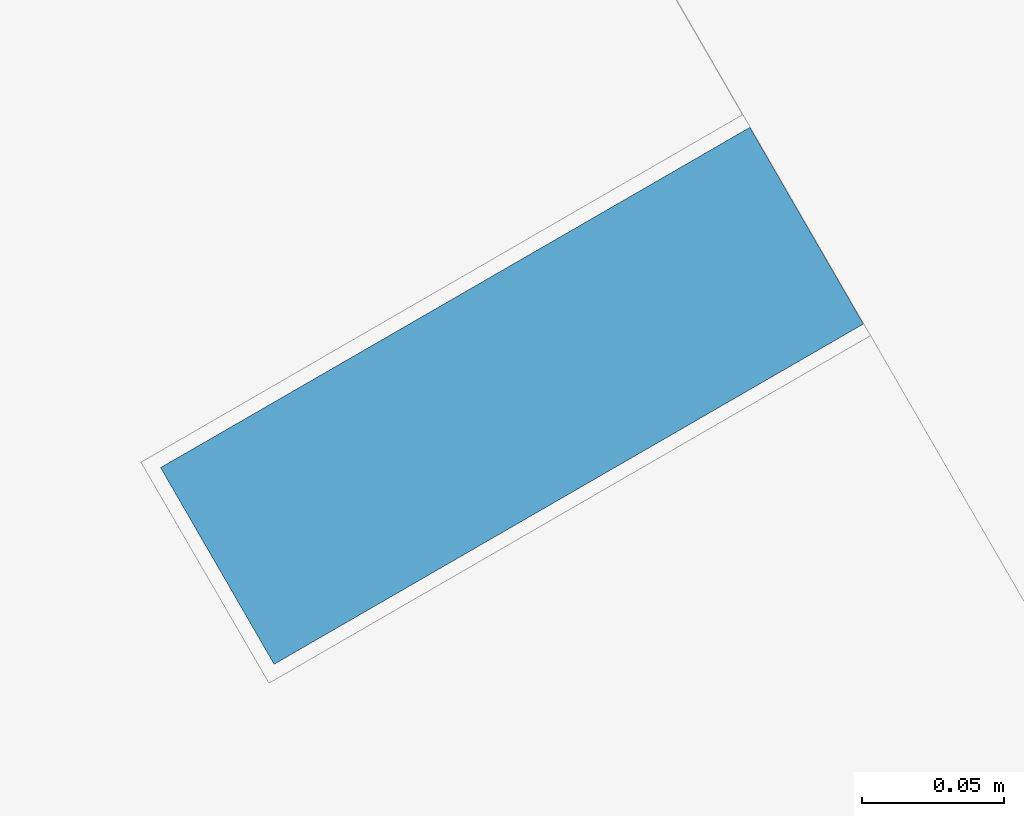
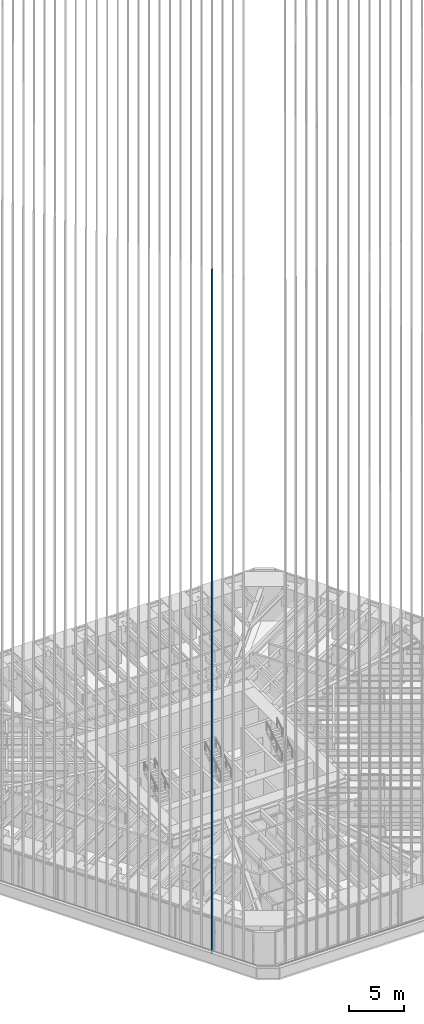
# One storey, part 17 of 238: 1 member, 1 element without a shape of its own.
"""IFC4 building model written with IfcOpenShell, lengths in metres."""

from ifc_helpers import new_model, si_unit, direction, frame, origin, origin_2d, place, context, subcontext, project, spatial, rectangle, extrude, material, material_profile, profile_set, type_object, element, aggregate, save


model = new_model("IFC4")

# Units and contexts
model_context = context("Model", 3, precision=1e-05, world=origin(), true_north=direction((0.0, 1.0)))
body_context = subcontext(model_context, "Body", "Model", "MODEL_VIEW")
ifc_project = project(units=[si_unit("LENGTHUNIT", "METRE"), si_unit("AREAUNIT", "SQUARE_METRE"), si_unit("VOLUMEUNIT", "CUBIC_METRE"), si_unit("PLANEANGLEUNIT", "RADIAN"), si_unit("MASSUNIT", "GRAM", prefix="KILO")], contexts=[model_context])

# Site, building, storey
site_placement = place(None, origin())
site = spatial("IfcSite", under=ifc_project, at=site_placement, CompositionType="ELEMENT")
building_placement = place(site_placement, origin())
building = spatial("IfcBuilding", under=site, at=building_placement, Name="Sandreach Pilgrim Tower", CompositionType="ELEMENT")
storey_placement = place(building_placement, frame((0.0, 0.0, 96.800048828125)))
storey = spatial("IfcBuildingStorey", under=building, at=storey_placement, Name="L23", CompositionType="ELEMENT", Elevation=96.800048828125)

# Curtain wall, member
ifc_material_1 = material(Name="Aluminium framed curtain wall", Category="aluminium")
curtain_wall_type = type_object("IfcCurtainWallType", Name="Hotel tower curtain wall", PredefinedType="NOTDEFINED", material=ifc_material_1)
curtain_wall_placement = place(storey_placement, origin())
curtain_wall = element("IfcCurtainWall", 1, at=curtain_wall_placement, inside=storey, type_object=curtain_wall_type, Name="CW-2 L23 SW", PredefinedType="NOTDEFINED")
ifc_material_2 = material(Name="Extruded terracotta on aluminium core", Category="masonry")
ifc_material_profile = material_profile(ifc_material_2, rectangle(XDim=0.080078125, YDim=0.239990234375, at=origin_2d()), Name="TBW 80X240")
ifc_profile_set = profile_set([ifc_material_profile], Name="Extruded terracotta on aluminium core")
member_type = type_object("IfcMemberType", Name="Terracotta baguette west", PredefinedType="USERDEFINED", material=ifc_profile_set)
member_placement = place(storey_placement, frame((-12.684814453125, -23.85693359375, 0.0), z_axis=(0.0, 0.0, 1.0), x_axis=(-0.5, 0.866025403784, 0.0)))
member = element("IfcMember", 2, at=member_placement, type_object=member_type, Name="Baguette Z2 SW04", ObjectType="BAGUETTE", PredefinedType="USERDEFINED", context=body_context, shape_type="SweptSolid", body=[
    extrude(rectangle(XDim=0.080078125, YDim=0.239990234375, at=origin_2d()), origin(), (0.0, 0.0, 1.0), 75.83984375),
])
aggregate(curtain_wall, [member])

save(model, "model.ifc")
